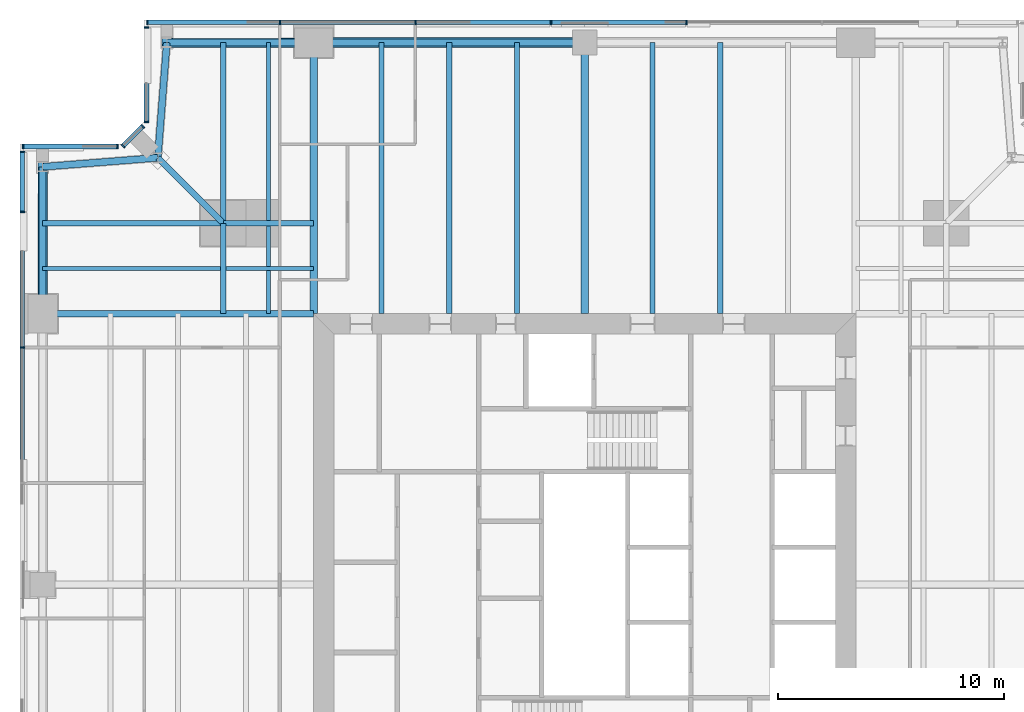
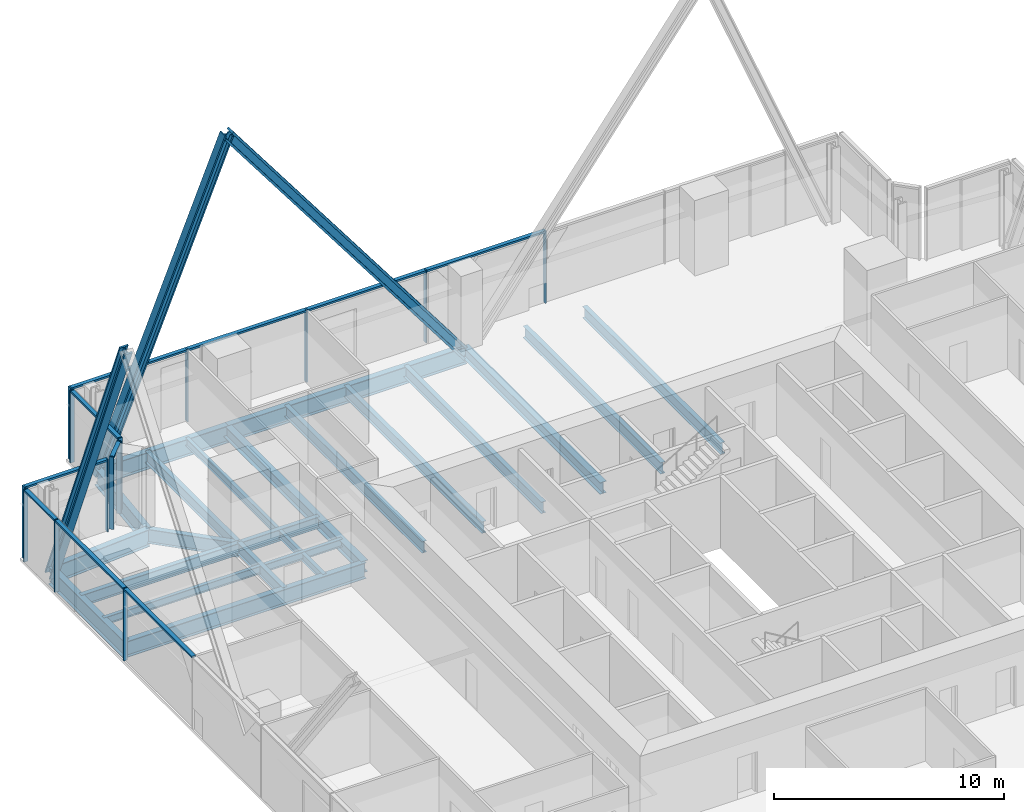
# One storey, part 6 of 14: 27 members, 23 beams, 5 elements without a shape of their own.
"""IFC4 building model written with IfcOpenShell, lengths in metres."""

import ifcopenshell
import ifcopenshell.guid

model = None  # the IFC model being written
_history = None  # IfcOwnerHistory: only IFC2X3 demands one
_inside = {}  # id of a spatial element -> (the spatial element, [elements in it])
_under = {}  # id of a project, library or spatial element -> (it, [spatial elements below it])
_declared = {}  # id of a project -> (the project, [libraries it declares])
_typed = {}  # id of a type object -> (the type object, [elements of that type])
_made_of = {}  # id of a material, layer set ... -> (it, [elements and type objects made of it])


def new_model(schema):
    """Start an empty IFC model of exactly this schema.

    Asked for "IFC4X3", IfcOpenShell would pick the latest addendum, in which some entities
    have other attributes; the version numbers below select the first issue.
    IFC2X3 requires an IfcOwnerHistory on every rooted entity: one is made here for all.
    """
    global model, _history
    if schema == "IFC4X3":
        model = ifcopenshell.file(schema_version=(4, 3, 0, 0))
    else:
        model = ifcopenshell.file(schema=schema)
    _inside.clear()
    _under.clear()
    _declared.clear()
    _typed.clear()
    _made_of.clear()
    _history = None
    if model.schema == "IFC2X3":
        org = make("IfcOrganization", Name="unknown")
        user = make(
            "IfcPersonAndOrganization",
            ThePerson=make("IfcPerson", FamilyName="unknown"),
            TheOrganization=org,
        )
        app = make(
            "IfcApplication",
            ApplicationDeveloper=org,
            Version="unknown",
            ApplicationFullName="unknown",
            ApplicationIdentifier="unknown",
        )
        _history = make(
            "IfcOwnerHistory",
            OwningUser=user,
            OwningApplication=app,
            ChangeAction="ADDED",
            CreationDate=0,
        )
    return model


def make(cls, **values):
    """One entity of the class cls with the attributes given. An attribute that is None is left unset."""
    return model.create_entity(
        cls, **{name: value for name, value in values.items() if value is not None}
    )


def rooted(cls, **values):
    """An entity with a GlobalId (a new one), such as an element, a storey or a relation."""
    return make(cls, GlobalId=ifcopenshell.guid.new(), OwnerHistory=_history, **values)


def si_unit(unit_type, name, prefix=None):
    """IfcSIUnit, for example si_unit("LENGTHUNIT", "METRE", prefix="MILLI")."""
    return make("IfcSIUnit", UnitType=unit_type, Prefix=prefix, Name=name)


def assignment(units):
    """IfcUnitAssignment: the units of a project."""
    return None if units is None else make("IfcUnitAssignment", Units=units)


def point(xyz):
    """IfcCartesianPoint."""
    return None if xyz is None else make("IfcCartesianPoint", Coordinates=xyz)


def direction(xyz):
    """IfcDirection."""
    return None if xyz is None else make("IfcDirection", DirectionRatios=xyz)


def frame(location, z_axis=None, x_axis=None):
    """IfcAxis2Placement3D, a coordinate frame: its origin and axes. An axis left out is left unset."""
    return make(
        "IfcAxis2Placement3D",
        Location=point(location),
        Axis=direction(z_axis),
        RefDirection=direction(x_axis),
    )


def frame_2d(location, x_axis=None):
    """IfcAxis2Placement2D, a coordinate frame in the plane: its origin and x axis."""
    return make(
        "IfcAxis2Placement2D", Location=point(location), RefDirection=direction(x_axis)
    )


def origin():
    """The frame at (0, 0, 0) with its axes left unset."""
    return frame((0.0, 0.0, 0.0))


def origin_2d():
    """The frame at (0, 0) in the plane with its x axis left unset."""
    return frame_2d((0.0, 0.0))


def place(relative_to, where):
    """IfcLocalPlacement: puts the frame where relative to a parent placement (None: the world)."""
    return make(
        "IfcLocalPlacement", PlacementRelTo=relative_to, RelativePlacement=where
    )


def context(
    kind, dimensions, precision=None, world=None, true_north=None, identifier=None
):
    """IfcGeometricRepresentationContext, for example the 3D "Model" context."""
    return make(
        "IfcGeometricRepresentationContext",
        ContextIdentifier=identifier,
        ContextType=kind,
        CoordinateSpaceDimension=dimensions,
        Precision=precision,
        WorldCoordinateSystem=world,
        TrueNorth=true_north,
    )


def subcontext(parent, identifier, kind, view, scale=None):
    """IfcGeometricRepresentationSubContext, for example "Body" below "Model"."""
    return make(
        "IfcGeometricRepresentationSubContext",
        ContextIdentifier=identifier,
        ContextType=kind,
        ParentContext=parent,
        TargetScale=scale,
        TargetView=view,
    )


def project(units=None, contexts=None):
    """IfcProject with its units and contexts."""
    return rooted(
        "IfcProject",
        Name="project",
        RepresentationContexts=contexts,
        UnitsInContext=assignment(units),
    )


def spatial(cls, under=None, at=None, **own):
    """A site, building, storey or space (cls), placed at a placement, below another one or the project."""
    s = rooted(cls, ObjectPlacement=at, **own)
    if under is not None:
        _under.setdefault(under.id(), (under, []))[1].append(s)
    return s


def profile(cls, at=None, kind="AREA", **sizes):
    """A parametric profile (cls). Its sizes go by their IFC names, for example OverallWidth=200.0."""
    return make(cls, ProfileType=kind, Position=at, **sizes)


def rectangle(**sizes):
    """IfcRectangleProfileDef."""
    return profile("IfcRectangleProfileDef", **sizes)


def i_section(**sizes):
    """IfcIShapeProfileDef."""
    return profile("IfcIShapeProfileDef", **sizes)


def extrude(swept, where, along, depth):
    """IfcExtrudedAreaSolid: the profile swept, set in the frame where, extruded along a direction by depth."""
    return make(
        "IfcExtrudedAreaSolid",
        SweptArea=swept,
        Position=where,
        ExtrudedDirection=direction(along),
        Depth=depth,
    )


def shape(context_of_items, identifier, shape_type, items):
    """IfcShapeRepresentation: the items that make up one representation, for example the "Body"."""
    return make(
        "IfcShapeRepresentation",
        ContextOfItems=context_of_items,
        RepresentationIdentifier=identifier,
        RepresentationType=shape_type,
        Items=items,
    )


def material(Name=None, Category=None):
    """IfcMaterial."""
    return make("IfcMaterial", Name=Name, Category=Category)


def material_profile(
    of_material, cross_section, Name=None, Category=None, Priority=None
):
    """IfcMaterialProfile: a cross section and its material."""
    return make(
        "IfcMaterialProfile",
        Name=Name,
        Material=of_material,
        Profile=cross_section,
        Priority=Priority,
        Category=Category,
    )


def profile_set(profiles, Name=None, composite=None):
    """IfcMaterialProfileSet."""
    return make(
        "IfcMaterialProfileSet",
        Name=Name,
        MaterialProfiles=profiles,
        CompositeProfile=composite,
    )


def made_of(thing, what):
    """Note that an element or type object is made of a material, layer set ...; save() writes the relation."""
    if what is not None:
        _made_of.setdefault(what.id(), (what, []))[1].append(thing)
    return thing


def type_object(cls, material=None, **own):
    """A type object (cls), such as IfcWallType, which elements share."""
    return made_of(rooted(cls, **own), material)


def element(
    cls,
    number,
    at=None,
    inside=None,
    cuts=None,
    type_object=None,
    material=None,
    context=None,
    identifier="Body",
    shape_type=None,
    held_by="IfcProductDefinitionShape",
    body=None,
    shapes=None,
    **own,
):
    """One element of the class cls, such as IfcWall. Its Tag is "e" and its number.

    at: its placement. inside: the storey or other place that contains it. cuts: it is an
    opening in that element (IfcRelVoidsElement). A single representation is given by context,
    identifier, shape_type and body (its items); several are given by shapes. held_by: the class
    of the entity that holds the representations. save() writes the other relations.
    """
    e = rooted(cls, Tag="e%d" % number, ObjectPlacement=at, **own)
    if body is not None:
        shapes = [shape(context, identifier, shape_type, body)]
    if shapes is not None:
        e.Representation = make(held_by, Representations=shapes)
    if inside is not None:
        _inside.setdefault(inside.id(), (inside, []))[1].append(e)
    if cuts is not None:
        rooted(
            "IfcRelVoidsElement", RelatingBuildingElement=cuts, RelatedOpeningElement=e
        )
    if type_object is not None:
        _typed.setdefault(type_object.id(), (type_object, []))[1].append(e)
    return made_of(e, material)


def aggregate(whole, parts):
    """IfcRelAggregates: a whole, such as a stair, and the parts it consists of."""
    return rooted("IfcRelAggregates", RelatingObject=whole, RelatedObjects=parts)


def save(model, path):
    """Write the relations noted so far, then the file.

    IfcRelAggregates (storeys below a building ...), IfcRelContainedInSpatialStructure (elements
    in a storey), IfcRelDefinesByType, IfcRelAssociatesMaterial and IfcRelDeclares: one each for
    every whole, place, type object, material and project.
    """
    for whole, parts in _under.values():
        aggregate(whole, parts)
    for where, things in _inside.values():
        rooted(
            "IfcRelContainedInSpatialStructure",
            RelatedElements=things,
            RelatingStructure=where,
        )
    for kind, things in _typed.values():
        rooted("IfcRelDefinesByType", RelatedObjects=things, RelatingType=kind)
    for what, things in _made_of.values():
        rooted("IfcRelAssociatesMaterial", RelatedObjects=things, RelatingMaterial=what)
    for by, libraries in _declared.values():
        rooted("IfcRelDeclares", RelatingContext=by, RelatedDefinitions=libraries)
    model.write(path)


model = new_model("IFC4")

# Units and contexts
model_context = context("Model", 3, precision=1e-05, world=origin(), true_north=direction((0.0, 1.0)))
body_context = subcontext(model_context, "Body", "Model", "MODEL_VIEW")
ifc_project = project(units=[si_unit("LENGTHUNIT", "METRE"), si_unit("AREAUNIT", "SQUARE_METRE"), si_unit("VOLUMEUNIT", "CUBIC_METRE"), si_unit("PLANEANGLEUNIT", "RADIAN"), si_unit("MASSUNIT", "GRAM", prefix="KILO")], contexts=[model_context])

# Site, building, storey
site_placement = place(None, origin())
site = spatial("IfcSite", under=ifc_project, at=site_placement, CompositionType="ELEMENT")
building_placement = place(site_placement, origin())
building = spatial("IfcBuilding", under=site, at=building_placement, Name="Fenwick Lantern Interchange", CompositionType="ELEMENT")
storey_placement = place(building_placement, frame((0.0, 0.0, 217.800048828125)))
storey = spatial("IfcBuildingStorey", under=building, at=storey_placement, Name="L51", CompositionType="ELEMENT", Elevation=217.800048828125)

# Beams
ifc_material_1 = material(Name="Steel ASTM A992 Grade 50", Category="steel")
ifc_material_profile_1 = material_profile(ifc_material_1, i_section(OverallWidth=0.3046875, OverallDepth=0.911865234375, WebThickness=0.015869140625, FlangeThickness=0.02392578125, at=origin_2d()), Name="W36X150")
ifc_profile_set_1 = profile_set([ifc_material_profile_1], Name="Steel ASTM A992 Grade 50")
beam_type_1 = type_object("IfcBeamType", Name="EDGE BEAM W36X150", PredefinedType="SPANDREL", material=ifc_profile_set_1)
beam_1_placement = place(storey_placement, frame((25.0, 49.0, -0.60595703125), z_axis=(-1.0, 0.0, 0.0), x_axis=(0.0, -1.0, 0.0)))
element("IfcBeam", 1, at=beam_1_placement, inside=storey, type_object=beam_type_1, Name="L51/FR/N/EB3", PredefinedType="SPANDREL", context=body_context, shape_type="SweptSolid", body=[
    extrude(i_section(OverallWidth=0.3046875, OverallDepth=0.911865234375, WebThickness=0.015869140625, FlangeThickness=0.02392578125, at=origin_2d()), origin(), (0.0, 0.0, 1.0), 12.0),
])
beam_2_placement = place(storey_placement, frame((13.0, 49.0, -0.60595703125), z_axis=(-1.0, 0.0, 0.0), x_axis=(0.0, -1.0, 0.0)))
element("IfcBeam", 2, at=beam_2_placement, inside=storey, type_object=beam_type_1, Name="L51/FR/N/EB4", PredefinedType="SPANDREL", context=body_context, shape_type="SweptSolid", body=[
    extrude(i_section(OverallWidth=0.3046875, OverallDepth=0.911865234375, WebThickness=0.015869140625, FlangeThickness=0.02392578125, at=origin_2d()), origin(), (0.0, 0.0, 1.0), 6.5),
])
for number, where, z_axis, x_axis, name in (
    (3, (6.5, 49.0, -0.60595703125), (-0.078170784639, -0.99693998236, 0.0), (0.99693998236, -0.078170784639, 0.0), "L51/FR/N/EBR1"),
    (4, (6.10009765625, 43.89990234375, -0.60595703125), (-0.99693998236, -0.078170784639, 0.0), (0.078170784639, -0.99693998236, 0.0), "L51/FR/N/EBR2"),
):
    element("IfcBeam", number, at=place(storey_placement, frame(where, z_axis=z_axis, x_axis=x_axis)), inside=storey, type_object=beam_type_1, Name=name, PredefinedType="SPANDREL", context=body_context, shape_type="SweptSolid", body=[
        extrude(i_section(OverallWidth=0.3046875, OverallDepth=0.911865234375, WebThickness=0.015869140625, FlangeThickness=0.02392578125, at=origin_2d()), origin(), (0.0, 0.0, 1.0), 5.11572265625),
    ])
beam_3_placement = place(storey_placement, frame((1.0, 43.5, -0.60595703125), z_axis=(0.0, -1.0, 0.0), x_axis=(1.0, 0.0, 0.0)))
element("IfcBeam", 5, at=beam_3_placement, inside=storey, type_object=beam_type_1, Name="L51/FR/W/EB1", PredefinedType="SPANDREL", context=body_context, shape_type="SweptSolid", body=[
    extrude(i_section(OverallWidth=0.3046875, OverallDepth=0.911865234375, WebThickness=0.015869140625, FlangeThickness=0.02392578125, at=origin_2d()), origin(), (0.0, 0.0, 1.0), 6.5),
])

# Members
ifc_material_profile_2 = material_profile(ifc_material_1, i_section(OverallWidth=0.424072265625, OverallDepth=0.47509765625, WebThickness=0.0478515625, FlangeThickness=0.0771484375, at=origin_2d()), Name="W14X426")
ifc_profile_set_2 = profile_set([ifc_material_profile_2], Name="Steel ASTM A992 Grade 50")
member_type_1 = type_object("IfcMemberType", Name="FACADE BRACE W14X426", PredefinedType="BRACE", material=ifc_profile_set_2)
for number, where, z_axis, x_axis, name in (
    (6, (6.5, 49.0, -0.60595703125), (0.378707062483, 0.0, 0.925516591329), (0.0, 1.0, 0.0), "L51/FB/N/BE"),
    (7, (1.0, 43.5, -0.60595703125), (0.0, -0.378707062483, 0.925516591329), (1.0, 0.0, 0.0), "L51/FB/W/AE"),
):
    element("IfcMember", number, at=place(storey_placement, frame(where, z_axis=z_axis, x_axis=x_axis)), inside=storey, type_object=member_type_1, Name=name, PredefinedType="BRACE", context=body_context, shape_type="SweptSolid", body=[
        extrude(i_section(OverallWidth=0.424072265625, OverallDepth=0.47509765625, WebThickness=0.0478515625, FlangeThickness=0.0771484375, at=origin_2d()), origin(), (0.0, 0.0, 1.0), 17.16357421875),
    ])
ifc_material_profile_3 = material_profile(ifc_material_1, i_section(OverallWidth=0.44189453125, OverallDepth=0.53076171875, WebThickness=0.06591796875, FlangeThickness=0.105712890625, at=origin_2d()), Name="W14X605")
ifc_profile_set_3 = profile_set([ifc_material_profile_3], Name="Steel ASTM A992 Grade 50")
member_type_2 = type_object("IfcMemberType", Name="FACADE BRACE W14X605", PredefinedType="BRACE", material=ifc_profile_set_3)
member_1_placement = place(storey_placement, frame((25.0, 49.0, -0.60595703125), z_axis=(-0.602763000162, 0.0, 0.797920275238), x_axis=(0.0, -1.0, 0.0)))
element("IfcMember", 8, at=member_1_placement, inside=storey, type_object=member_type_2, Name="L51/FB/N/B", PredefinedType="BRACE", context=body_context, shape_type="SweptSolid", body=[
    extrude(i_section(OverallWidth=0.44189453125, OverallDepth=0.53076171875, WebThickness=0.06591796875, FlangeThickness=0.105712890625, at=origin_2d()), origin(), (0.0, 0.0, 1.0), 19.908203125),
])

# Beams
ifc_material_profile_4 = material_profile(ifc_material_1, i_section(OverallWidth=0.22900390625, OverallDepth=0.612060546875, WebThickness=0.011962890625, FlangeThickness=0.01953125, at=origin_2d()), Name="W24X84")
ifc_profile_set_4 = profile_set([ifc_material_profile_4], Name="Steel ASTM A992 Grade 50")
beam_type_2 = type_object("IfcBeamType", Name="FLOOR BEAM W24X84", PredefinedType="BEAM", material=ifc_profile_set_4)
for number, where, z_axis, x_axis, name in (
    (9, (31.0, 49.0, -0.4560546875), (0.0, -1.0, 0.0), (1.0, 0.0, 0.0), "L51/FR/N/R03"),
    (10, (28.0, 49.0, -0.4560546875), (0.0, -1.0, 0.0), (1.0, 0.0, 0.0), "L51/FR/N/R04"),
    (11, (22.0, 49.0, -0.4560546875), (0.0, -1.0, 0.0), (1.0, 0.0, 0.0), "L51/FR/N/R06"),
    (12, (19.0, 49.0, -0.4560546875), (0.0, -1.0, 0.0), (1.0, 0.0, 0.0), "L51/FR/N/R07"),
    (13, (16.0, 49.0, -0.4560546875), (0.0, -1.0, 0.0), (1.0, 0.0, 0.0), "L51/FR/N/R08"),
):
    element("IfcBeam", number, at=place(storey_placement, frame(where, z_axis=z_axis, x_axis=x_axis)), inside=storey, type_object=beam_type_2, Name=name, PredefinedType="BEAM", context=body_context, shape_type="SweptSolid", body=[
        extrude(i_section(OverallWidth=0.22900390625, OverallDepth=0.612060546875, WebThickness=0.011962890625, FlangeThickness=0.01953125, at=origin_2d()), origin(), (0.0, 0.0, 1.0), 12.0),
    ])
ifc_material_profile_5 = material_profile(ifc_material_1, i_section(OverallWidth=0.177734375, OverallDepth=0.406494140625, WebThickness=0.0078125, FlangeThickness=0.012939453125, at=origin_2d()), Name="W16X40")
ifc_profile_set_5 = profile_set([ifc_material_profile_5], Name="Steel ASTM A992 Grade 50")
beam_type_3 = type_object("IfcBeamType", Name="INFILL BEAM W16X40", PredefinedType="JOIST", material=ifc_profile_set_5)
beam_4_placement = place(storey_placement, frame((1.0, 39.0, -0.353271484375), z_axis=(1.0, 0.0, 0.0), x_axis=(0.0, 1.0, 0.0)))
element("IfcBeam", 14, at=beam_4_placement, inside=storey, type_object=beam_type_3, Name="L51/FR/W/J1", PredefinedType="JOIST", context=body_context, shape_type="SweptSolid", body=[
    extrude(i_section(OverallWidth=0.177734375, OverallDepth=0.406494140625, WebThickness=0.0078125, FlangeThickness=0.012939453125, at=origin_2d()), origin(), (0.0, 0.0, 1.0), 7.885498046875),
])
beam_5_placement = place(storey_placement, frame((9.114501953125, 39.0, -0.353271484375), z_axis=(1.0, 0.0, 0.0), x_axis=(0.0, 1.0, 0.0)))
element("IfcBeam", 15, at=beam_5_placement, inside=storey, type_object=beam_type_3, Name="L51/FR/W/J2", PredefinedType="JOIST", context=body_context, shape_type="SweptSolid", body=[
    extrude(i_section(OverallWidth=0.177734375, OverallDepth=0.406494140625, WebThickness=0.0078125, FlangeThickness=0.012939453125, at=origin_2d()), origin(), (0.0, 0.0, 1.0), 3.885498046875),
])
beam_6_placement = place(storey_placement, frame((11.0, 49.0, -0.353271484375), z_axis=(0.0, -1.0, 0.0), x_axis=(1.0, 0.0, 0.0)))
element("IfcBeam", 16, at=beam_6_placement, inside=storey, type_object=beam_type_3, Name="L51/FR/W/J3", PredefinedType="JOIST", context=body_context, shape_type="SweptSolid", body=[
    extrude(i_section(OverallWidth=0.177734375, OverallDepth=0.406494140625, WebThickness=0.0078125, FlangeThickness=0.012939453125, at=origin_2d()), origin(), (0.0, 0.0, 1.0), 7.885498046875),
])
beam_7_placement = place(storey_placement, frame((11.0, 40.885498046875, -0.353271484375), z_axis=(0.0, -1.0, 0.0), x_axis=(1.0, 0.0, 0.0)))
element("IfcBeam", 17, at=beam_7_placement, inside=storey, type_object=beam_type_3, Name="L51/FR/W/J4", PredefinedType="JOIST", context=body_context, shape_type="SweptSolid", body=[
    extrude(i_section(OverallWidth=0.177734375, OverallDepth=0.406494140625, WebThickness=0.0078125, FlangeThickness=0.012939453125, at=origin_2d()), origin(), (0.0, 0.0, 1.0), 1.796630859375),
])
beam_8_placement = place(storey_placement, frame((11.0, 38.9111328125, -0.353271484375), z_axis=(0.0, -1.0, 0.0), x_axis=(1.0, 0.0, 0.0)))
element("IfcBeam", 18, at=beam_8_placement, inside=storey, type_object=beam_type_3, Name="L51/FR/W/J5", PredefinedType="JOIST", context=body_context, shape_type="SweptSolid", body=[
    extrude(i_section(OverallWidth=0.177734375, OverallDepth=0.406494140625, WebThickness=0.0078125, FlangeThickness=0.012939453125, at=origin_2d()), origin(), (0.0, 0.0, 1.0), 1.9111328125),
])
ifc_material_profile_6 = material_profile(ifc_material_1, i_section(OverallWidth=0.22900390625, OverallDepth=0.612060546875, WebThickness=0.011962890625, FlangeThickness=0.01953125, at=origin_2d()), Name="W24X84")
ifc_profile_set_6 = profile_set([ifc_material_profile_6], Name="Steel ASTM A992 Grade 50")
beam_type_4 = type_object("IfcBeamType", Name="MEGA COLUMN BEAM W24X84", PredefinedType="BEAM", material=ifc_profile_set_6)
for number, where, z_axis, x_axis, name in (
    (19, (9.0, 41.0, -0.4560546875), (-1.0, 0.0, 0.0), (0.0, -1.0, 0.0), "L51/FR/W/MB1"),
    (20, (9.0, 41.0, -0.4560546875), (0.0, 1.0, 0.0), (-1.0, 0.0, 0.0), "L51/FR/W/MB2"),
):
    element("IfcBeam", number, at=place(storey_placement, frame(where, z_axis=z_axis, x_axis=x_axis)), inside=storey, type_object=beam_type_4, Name=name, PredefinedType="BEAM", context=body_context, shape_type="SweptSolid", body=[
        extrude(i_section(OverallWidth=0.22900390625, OverallDepth=0.612060546875, WebThickness=0.011962890625, FlangeThickness=0.01953125, at=origin_2d()), origin(), (0.0, 0.0, 1.0), 8.0),
    ])
for number, where, z_axis, x_axis, name in (
    (21, (9.0, 41.0, -0.4560546875), (0.0, -1.0, 0.0), (1.0, 0.0, 0.0), "L51/FR/W/MB3"),
    (22, (9.0, 41.0, -0.4560546875), (1.0, 0.0, 0.0), (0.0, 1.0, 0.0), "L51/FR/W/MB4"),
):
    element("IfcBeam", number, at=place(storey_placement, frame(where, z_axis=z_axis, x_axis=x_axis)), inside=storey, type_object=beam_type_4, Name=name, PredefinedType="BEAM", context=body_context, shape_type="SweptSolid", body=[
        extrude(i_section(OverallWidth=0.22900390625, OverallDepth=0.612060546875, WebThickness=0.011962890625, FlangeThickness=0.01953125, at=origin_2d()), origin(), (0.0, 0.0, 1.0), 4.0),
    ])
ifc_material_profile_7 = material_profile(ifc_material_1, i_section(OverallWidth=0.32763671875, OverallDepth=0.622314453125, WebThickness=0.015380859375, FlangeThickness=0.0244140625, at=origin_2d()), Name="W24X131")
ifc_profile_set_7 = profile_set([ifc_material_profile_7], Name="Steel ASTM A992 Grade 50")
beam_type_5 = type_object("IfcBeamType", Name="MOMENT-CONNECTED GIRDER W24X131", PredefinedType="BEAM", material=ifc_profile_set_7)
for number, where, z_axis, x_axis, name in (
    (23, (25.0, 49.0, -0.461181640625), (0.0, -1.0, 0.0), (1.0, 0.0, 0.0), "L51/FR/N/R05"),
    (24, (13.0, 49.0, -0.461181640625), (0.0, -1.0, 0.0), (1.0, 0.0, 0.0), "L51/FR/N/R09"),
):
    element("IfcBeam", number, at=place(storey_placement, frame(where, z_axis=z_axis, x_axis=x_axis)), inside=storey, type_object=beam_type_5, Name=name, PredefinedType="BEAM", context=body_context, shape_type="SweptSolid", body=[
        extrude(i_section(OverallWidth=0.32763671875, OverallDepth=0.622314453125, WebThickness=0.015380859375, FlangeThickness=0.0244140625, at=origin_2d()), origin(), (0.0, 0.0, 1.0), 12.0),
    ])
ifc_material_profile_8 = material_profile(ifc_material_1, i_section(OverallWidth=0.2919921875, OverallDepth=0.845703125, WebThickness=0.015380859375, FlangeThickness=0.0244140625, at=origin_2d()), Name="W33X141")
ifc_profile_set_8 = profile_set([ifc_material_profile_8], Name="Steel ASTM A992 Grade 50")
beam_type_6 = type_object("IfcBeamType", Name="MOMENT-CONNECTED GIRDER W33X141", PredefinedType="BEAM", material=ifc_profile_set_8)
beam_9_placement = place(storey_placement, frame((1.0, 37.0, -0.572998046875), z_axis=(1.0, 0.0, 0.0), x_axis=(0.0, 1.0, 0.0)))
element("IfcBeam", 25, at=beam_9_placement, inside=storey, type_object=beam_type_6, Name="L51/FR/W/R01", PredefinedType="BEAM", context=body_context, shape_type="SweptSolid", body=[
    extrude(i_section(OverallWidth=0.2919921875, OverallDepth=0.845703125, WebThickness=0.015380859375, FlangeThickness=0.0244140625, at=origin_2d()), origin(), (0.0, 0.0, 1.0), 12.0),
])
ifc_material_profile_9 = material_profile(ifc_material_1, i_section(OverallWidth=0.2666015625, OverallDepth=0.7568359375, WebThickness=0.013916015625, FlangeThickness=0.019287109375, at=origin_2d()), Name="W30X108")
ifc_profile_set_9 = profile_set([ifc_material_profile_9], Name="Steel ASTM A992 Grade 50")
beam_type_7 = type_object("IfcBeamType", Name="NOTCH BEAM W30X108", PredefinedType="BEAM", material=ifc_profile_set_9)
beam_10_placement = place(storey_placement, frame((9.0, 41.0, -0.528564453125), z_axis=(-0.707106781187, 0.707106781187, 0.0), x_axis=(-0.707106781187, -0.707106781187, 0.0)))
element("IfcBeam", 26, at=beam_10_placement, inside=storey, type_object=beam_type_7, Name="L51/FR/W/TG", PredefinedType="BEAM", context=body_context, shape_type="SweptSolid", body=[
    extrude(i_section(OverallWidth=0.2666015625, OverallDepth=0.7568359375, WebThickness=0.013916015625, FlangeThickness=0.019287109375, at=origin_2d()), origin(), (0.0, 0.0, 1.0), 4.10107421875),
])

# Curtain wall, members
ifc_material_2 = material(Name="Aluminium curtain wall frame", Category="aluminium")
curtain_wall_type = type_object("IfcCurtainWallType", Name="OFFICE CURTAIN WALL", PredefinedType="USERDEFINED", material=ifc_material_2)
curtain_wall_1_placement = place(storey_placement, origin())
curtain_wall_1 = element("IfcCurtainWall", 27, at=curtain_wall_1_placement, inside=storey, type_object=curtain_wall_type, Name="Office curtain wall 09", ObjectType="OFFICE CURTAIN WALL", PredefinedType="USERDEFINED")
ifc_material_3 = material(Name="Aluminium extrusion", Category="aluminium")
ifc_material_profile_10 = material_profile(ifc_material_3, rectangle(XDim=0.199951171875, YDim=0.06494140625, at=origin_2d()), Name="OFFICE CURTAIN WALL MULLION 65 X 200")
ifc_profile_set_10 = profile_set([ifc_material_profile_10], Name="Aluminium extrusion")
member_type_3 = type_object("IfcMemberType", Name="OFFICE CURTAIN WALL MULLION 65 X 200", PredefinedType="MULLION", material=ifc_profile_set_10)
member_2_placement = place(storey_placement, frame((29.5, 49.89990234375, 0.0), z_axis=(0.0, 0.0, 1.0), x_axis=(0.0, -1.0, 0.0)))
member_2 = element("IfcMember", 28, at=member_2_placement, type_object=member_type_3, Name="L51/CW/09/M03", PredefinedType="MULLION", context=body_context, shape_type="SweptSolid", body=[
    extrude(rectangle(XDim=0.199951171875, YDim=0.06494140625, at=origin_2d()), origin(), (0.0, 0.0, 1.0), 3.849853515625),
])
member_3_placement = place(storey_placement, frame((23.5, 49.89990234375, 0.0), z_axis=(0.0, 0.0, 1.0), x_axis=(0.0, -1.0, 0.0)))
member_3 = element("IfcMember", 29, at=member_3_placement, type_object=member_type_3, Name="L51/CW/09/M04", PredefinedType="MULLION", context=body_context, shape_type="SweptSolid", body=[
    extrude(rectangle(XDim=0.199951171875, YDim=0.06494140625, at=origin_2d()), origin(), (0.0, 0.0, 1.0), 3.849853515625),
])
member_4_placement = place(storey_placement, frame((17.5, 49.89990234375, 0.0), z_axis=(0.0, 0.0, 1.0), x_axis=(0.0, -1.0, 0.0)))
member_4 = element("IfcMember", 30, at=member_4_placement, type_object=member_type_3, Name="L51/CW/09/M05", PredefinedType="MULLION", context=body_context, shape_type="SweptSolid", body=[
    extrude(rectangle(XDim=0.199951171875, YDim=0.06494140625, at=origin_2d()), origin(), (0.0, 0.0, 1.0), 3.849853515625),
])
member_5_placement = place(storey_placement, frame((11.5, 49.89990234375, 0.0), z_axis=(0.0, 0.0, 1.0), x_axis=(0.0, -1.0, 0.0)))
member_5 = element("IfcMember", 31, at=member_5_placement, type_object=member_type_3, Name="L51/CW/09/M06", PredefinedType="MULLION", context=body_context, shape_type="SweptSolid", body=[
    extrude(rectangle(XDim=0.199951171875, YDim=0.06494140625, at=origin_2d()), origin(), (0.0, 0.0, 1.0), 3.849853515625),
])
member_6_placement = place(storey_placement, frame((5.632568359375, 49.89990234375, 0.0), z_axis=(0.0, 0.0, 1.0), x_axis=(0.0, -1.0, 0.0)))
member_6 = element("IfcMember", 32, at=member_6_placement, type_object=member_type_3, Name="L51/CW/09/M07", PredefinedType="MULLION", context=body_context, shape_type="SweptSolid", body=[
    extrude(rectangle(XDim=0.199951171875, YDim=0.06494140625, at=origin_2d()), origin(), (0.0, 0.0, 1.0), 3.849853515625),
])

curtain_wall_2_placement = place(storey_placement, origin())
curtain_wall_2 = element("IfcCurtainWall", 33, at=curtain_wall_2_placement, inside=storey, type_object=curtain_wall_type, Name="Office curtain wall 10", ObjectType="OFFICE CURTAIN WALL", PredefinedType="USERDEFINED")
member_7_placement = place(storey_placement, frame((5.60009765625, 49.66748046875, 0.0), z_axis=(0.0, 0.0, 1.0), x_axis=(1.0, 0.0, 0.0)))
member_7 = element("IfcMember", 34, at=member_7_placement, type_object=member_type_3, Name="L51/CW/10/M00", PredefinedType="MULLION", context=body_context, shape_type="SweptSolid", body=[
    extrude(rectangle(XDim=0.199951171875, YDim=0.06494140625, at=origin_2d()), origin(), (0.0, 0.0, 1.0), 3.849853515625),
])
member_8_placement = place(storey_placement, frame((5.60009765625, 45.490966796875, 0.0), z_axis=(0.0, 0.0, 1.0), x_axis=(1.0, 0.0, 0.0)))
member_8 = element("IfcMember", 35, at=member_8_placement, type_object=member_type_3, Name="L51/CW/10/M01", PredefinedType="MULLION", context=body_context, shape_type="SweptSolid", body=[
    extrude(rectangle(XDim=0.199951171875, YDim=0.06494140625, at=origin_2d()), origin(), (0.0, 0.0, 1.0), 3.849853515625),
])

curtain_wall_3_placement = place(storey_placement, origin())
curtain_wall_3 = element("IfcCurtainWall", 36, at=curtain_wall_3_placement, inside=storey, type_object=curtain_wall_type, Name="Office curtain wall 11", ObjectType="OFFICE CURTAIN WALL", PredefinedType="USERDEFINED")
member_9_placement = place(storey_placement, frame((5.435546875, 45.294189453125, 0.0), z_axis=(0.0, 0.0, 1.0), x_axis=(0.707106781187, -0.707106781187, 0.0)))
member_9 = element("IfcMember", 37, at=member_9_placement, type_object=member_type_3, Name="L51/CW/11/M00", PredefinedType="MULLION", context=body_context, shape_type="SweptSolid", body=[
    extrude(rectangle(XDim=0.199951171875, YDim=0.06494140625, at=origin_2d()), origin(), (0.0, 0.0, 1.0), 3.849853515625),
])
member_10_placement = place(storey_placement, frame((4.564453125, 44.423095703125, 0.0), z_axis=(0.0, 0.0, 1.0), x_axis=(0.707106781187, -0.707106781187, 0.0)))
member_10 = element("IfcMember", 38, at=member_10_placement, type_object=member_type_3, Name="L51/CW/11/M01", PredefinedType="MULLION", context=body_context, shape_type="SweptSolid", body=[
    extrude(rectangle(XDim=0.199951171875, YDim=0.06494140625, at=origin_2d()), origin(), (0.0, 0.0, 1.0), 3.849853515625),
])

curtain_wall_4_placement = place(storey_placement, origin())
curtain_wall_4 = element("IfcCurtainWall", 39, at=curtain_wall_4_placement, inside=storey, type_object=curtain_wall_type, Name="Office curtain wall 12", ObjectType="OFFICE CURTAIN WALL", PredefinedType="USERDEFINED")
member_11_placement = place(storey_placement, frame((4.308837890625, 44.39990234375, 0.0), z_axis=(0.0, 0.0, 1.0), x_axis=(0.0, -1.0, 0.0)))
member_11 = element("IfcMember", 40, at=member_11_placement, type_object=member_type_3, Name="L51/CW/12/M00", PredefinedType="MULLION", context=body_context, shape_type="SweptSolid", body=[
    extrude(rectangle(XDim=0.199951171875, YDim=0.06494140625, at=origin_2d()), origin(), (0.0, 0.0, 1.0), 3.849853515625),
])
member_12_placement = place(storey_placement, frame((0.132568359375, 44.39990234375, 0.0), z_axis=(0.0, 0.0, 1.0), x_axis=(0.0, -1.0, 0.0)))
member_12 = element("IfcMember", 41, at=member_12_placement, type_object=member_type_3, Name="L51/CW/12/M01", PredefinedType="MULLION", context=body_context, shape_type="SweptSolid", body=[
    extrude(rectangle(XDim=0.199951171875, YDim=0.06494140625, at=origin_2d()), origin(), (0.0, 0.0, 1.0), 3.849853515625),
])

curtain_wall_5_placement = place(storey_placement, origin())
curtain_wall_5 = element("IfcCurtainWall", 42, at=curtain_wall_5_placement, inside=storey, type_object=curtain_wall_type, Name="Office curtain wall 13", ObjectType="OFFICE CURTAIN WALL", PredefinedType="USERDEFINED")
member_13_placement = place(storey_placement, frame((0.10009765625, 44.16748046875, 0.0), z_axis=(0.0, 0.0, 1.0), x_axis=(1.0, 0.0, 0.0)))
member_13 = element("IfcMember", 43, at=member_13_placement, type_object=member_type_3, Name="L51/CW/13/M00", PredefinedType="MULLION", context=body_context, shape_type="SweptSolid", body=[
    extrude(rectangle(XDim=0.199951171875, YDim=0.06494140625, at=origin_2d()), origin(), (0.0, 0.0, 1.0), 3.849853515625),
])
member_14_placement = place(storey_placement, frame((0.10009765625, 41.5, 0.0), z_axis=(0.0, 0.0, 1.0), x_axis=(1.0, 0.0, 0.0)))
member_14 = element("IfcMember", 44, at=member_14_placement, type_object=member_type_3, Name="L51/CW/13/M01", PredefinedType="MULLION", context=body_context, shape_type="SweptSolid", body=[
    extrude(rectangle(XDim=0.199951171875, YDim=0.06494140625, at=origin_2d()), origin(), (0.0, 0.0, 1.0), 3.849853515625),
])
member_15_placement = place(storey_placement, frame((0.10009765625, 35.5, 0.0), z_axis=(0.0, 0.0, 1.0), x_axis=(1.0, 0.0, 0.0)))
member_15 = element("IfcMember", 45, at=member_15_placement, type_object=member_type_3, Name="L51/CW/13/M02", PredefinedType="MULLION", context=body_context, shape_type="SweptSolid", body=[
    extrude(rectangle(XDim=0.199951171875, YDim=0.06494140625, at=origin_2d()), origin(), (0.0, 0.0, 1.0), 3.849853515625),
])

# Member
ifc_material_profile_11 = material_profile(ifc_material_3, rectangle(XDim=0.199951171875, YDim=0.10009765625, at=origin_2d()), Name="OFFICE CURTAIN WALL TRANSOM 100 X 200")
ifc_profile_set_11 = profile_set([ifc_material_profile_11], Name="Aluminium extrusion")
member_type_4 = type_object("IfcMemberType", Name="OFFICE CURTAIN WALL TRANSOM 100 X 200", PredefinedType="MULLION", material=ifc_profile_set_11)
member_16_placement = place(storey_placement, frame((29.467529296875, 49.89990234375, 3.800048828125), z_axis=(-1.0, 0.0, 0.0), x_axis=(0.0, -1.0, 0.0)))
member_16 = element("IfcMember", 46, at=member_16_placement, type_object=member_type_4, Name="L51/CW/09/T03", PredefinedType="MULLION", context=body_context, shape_type="SweptSolid", body=[
    extrude(rectangle(XDim=0.199951171875, YDim=0.10009765625, at=origin_2d()), origin(), (0.0, 0.0, 1.0), 5.93505859375),
])

member_17_placement = place(storey_placement, frame((23.467529296875, 49.89990234375, 3.800048828125), z_axis=(-1.0, 0.0, 0.0), x_axis=(0.0, -1.0, 0.0)))
member_17 = element("IfcMember", 47, at=member_17_placement, type_object=member_type_4, Name="L51/CW/09/T04", PredefinedType="MULLION", context=body_context, shape_type="SweptSolid", body=[
    extrude(rectangle(XDim=0.199951171875, YDim=0.10009765625, at=origin_2d()), origin(), (0.0, 0.0, 1.0), 5.93505859375),
])

member_18_placement = place(storey_placement, frame((17.467529296875, 49.89990234375, 3.800048828125), z_axis=(-1.0, 0.0, 0.0), x_axis=(0.0, -1.0, 0.0)))
member_18 = element("IfcMember", 48, at=member_18_placement, type_object=member_type_4, Name="L51/CW/09/T05", PredefinedType="MULLION", context=body_context, shape_type="SweptSolid", body=[
    extrude(rectangle(XDim=0.199951171875, YDim=0.10009765625, at=origin_2d()), origin(), (0.0, 0.0, 1.0), 5.93505859375),
])

member_19_placement = place(storey_placement, frame((11.467529296875, 49.89990234375, 3.800048828125), z_axis=(-1.0, 0.0, 0.0), x_axis=(0.0, -1.0, 0.0)))
member_19 = element("IfcMember", 49, at=member_19_placement, type_object=member_type_4, Name="L51/CW/09/T06", PredefinedType="MULLION", context=body_context, shape_type="SweptSolid", body=[
    extrude(rectangle(XDim=0.199951171875, YDim=0.10009765625, at=origin_2d()), origin(), (0.0, 0.0, 1.0), 5.802490234375),
])

aggregate(curtain_wall_1, [member_2, member_3, member_4, member_5, member_6, member_16, member_17, member_18, member_19])

member_20_placement = place(storey_placement, frame((5.60009765625, 49.635009765625, 3.800048828125), z_axis=(0.0, -1.0, 0.0), x_axis=(1.0, 0.0, 0.0)))
member_20 = element("IfcMember", 50, at=member_20_placement, type_object=member_type_4, Name="L51/CW/10/T00", PredefinedType="MULLION", context=body_context, shape_type="SweptSolid", body=[
    extrude(rectangle(XDim=0.199951171875, YDim=0.10009765625, at=origin_2d()), origin(), (0.0, 0.0, 1.0), 4.111328125),
])

aggregate(curtain_wall_2, [member_7, member_8, member_20])

member_21_placement = place(storey_placement, frame((5.41259765625, 45.271240234375, 3.800048828125), z_axis=(-0.707106781187, -0.707106781187, 0.0), x_axis=(0.707106781187, -0.707106781187, 0.0)))
member_21 = element("IfcMember", 51, at=member_21_placement, type_object=member_type_4, Name="L51/CW/11/T00", PredefinedType="MULLION", context=body_context, shape_type="SweptSolid", body=[
    extrude(rectangle(XDim=0.199951171875, YDim=0.10009765625, at=origin_2d()), origin(), (0.0, 0.0, 1.0), 1.1669921875),
])

aggregate(curtain_wall_3, [member_9, member_10, member_21])

member_22_placement = place(storey_placement, frame((4.2763671875, 44.39990234375, 3.800048828125), z_axis=(-1.0, 0.0, 0.0), x_axis=(0.0, -1.0, 0.0)))
member_22 = element("IfcMember", 52, at=member_22_placement, type_object=member_type_4, Name="L51/CW/12/T00", PredefinedType="MULLION", context=body_context, shape_type="SweptSolid", body=[
    extrude(rectangle(XDim=0.199951171875, YDim=0.10009765625, at=origin_2d()), origin(), (0.0, 0.0, 1.0), 4.111328125),
])

aggregate(curtain_wall_4, [member_11, member_12, member_22])

member_23_placement = place(storey_placement, frame((0.10009765625, 44.135009765625, 3.800048828125), z_axis=(0.0, -1.0, 0.0), x_axis=(1.0, 0.0, 0.0)))
member_23 = element("IfcMember", 53, at=member_23_placement, type_object=member_type_4, Name="L51/CW/13/T00", PredefinedType="MULLION", context=body_context, shape_type="SweptSolid", body=[
    extrude(rectangle(XDim=0.199951171875, YDim=0.10009765625, at=origin_2d()), origin(), (0.0, 0.0, 1.0), 2.6025390625),
])

member_24_placement = place(storey_placement, frame((0.10009765625, 41.467529296875, 3.800048828125), z_axis=(0.0, -1.0, 0.0), x_axis=(1.0, 0.0, 0.0)))
member_24 = element("IfcMember", 54, at=member_24_placement, type_object=member_type_4, Name="L51/CW/13/T01", PredefinedType="MULLION", context=body_context, shape_type="SweptSolid", body=[
    extrude(rectangle(XDim=0.199951171875, YDim=0.10009765625, at=origin_2d()), origin(), (0.0, 0.0, 1.0), 5.93505859375),
])

member_25_placement = place(storey_placement, frame((0.10009765625, 35.467529296875, 3.800048828125), z_axis=(0.0, -1.0, 0.0), x_axis=(1.0, 0.0, 0.0)))
member_25 = element("IfcMember", 55, at=member_25_placement, type_object=member_type_4, Name="L51/CW/13/T02", PredefinedType="MULLION", context=body_context, shape_type="SweptSolid", body=[
    extrude(rectangle(XDim=0.199951171875, YDim=0.10009765625, at=origin_2d()), origin(), (0.0, 0.0, 1.0), 5.93505859375),
])

aggregate(curtain_wall_5, [member_13, member_14, member_15, member_23, member_24, member_25])

save(model, "model.ifc")
